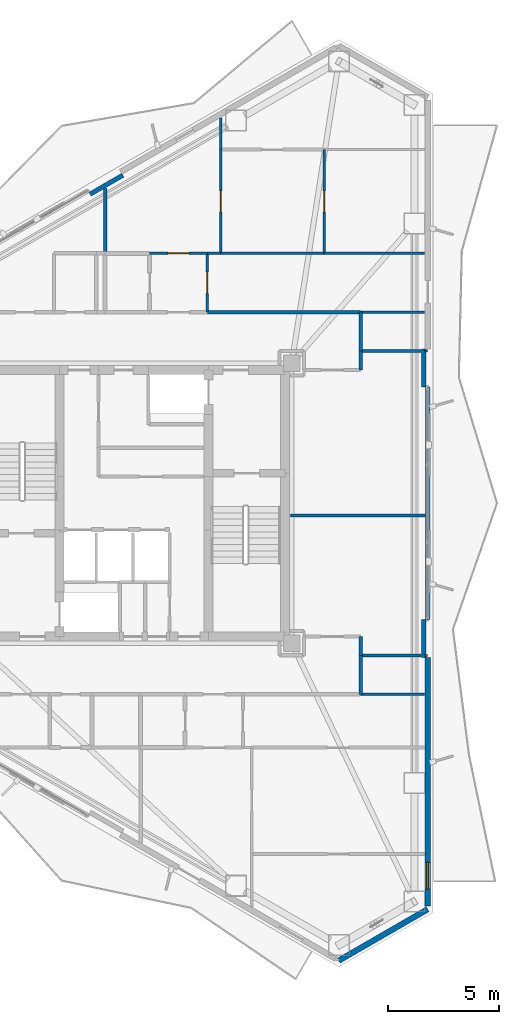
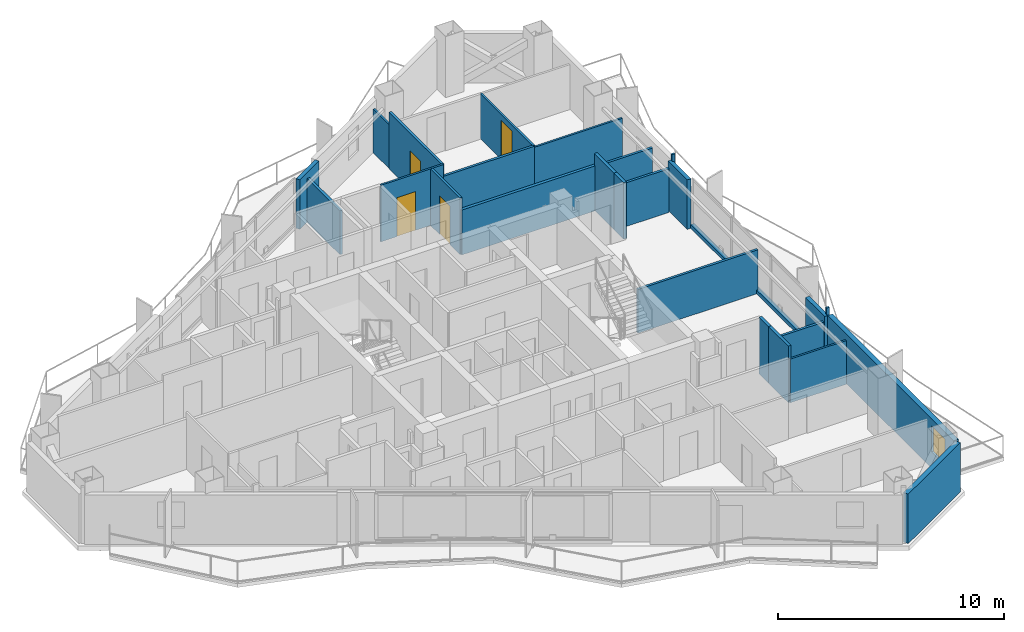
# One storey, part 16 of 19: 27 walls, 4 doors, 1 window, 5 openings.
"""IFC4 building model written with IfcOpenShell, lengths in metres."""

import ifcopenshell
import ifcopenshell.guid

model = None  # the IFC model being written
_history = None  # IfcOwnerHistory: only IFC2X3 demands one
_inside = {}  # id of a spatial element -> (the spatial element, [elements in it])
_under = {}  # id of a project, library or spatial element -> (it, [spatial elements below it])
_declared = {}  # id of a project -> (the project, [libraries it declares])
_typed = {}  # id of a type object -> (the type object, [elements of that type])
_made_of = {}  # id of a material, layer set ... -> (it, [elements and type objects made of it])


def new_model(schema):
    """Start an empty IFC model of exactly this schema.

    Asked for "IFC4X3", IfcOpenShell would pick the latest addendum, in which some entities
    have other attributes; the version numbers below select the first issue.
    IFC2X3 requires an IfcOwnerHistory on every rooted entity: one is made here for all.
    """
    global model, _history
    if schema == "IFC4X3":
        model = ifcopenshell.file(schema_version=(4, 3, 0, 0))
    else:
        model = ifcopenshell.file(schema=schema)
    _inside.clear()
    _under.clear()
    _declared.clear()
    _typed.clear()
    _made_of.clear()
    _history = None
    if model.schema == "IFC2X3":
        org = make("IfcOrganization", Name="unknown")
        user = make(
            "IfcPersonAndOrganization",
            ThePerson=make("IfcPerson", FamilyName="unknown"),
            TheOrganization=org,
        )
        app = make(
            "IfcApplication",
            ApplicationDeveloper=org,
            Version="unknown",
            ApplicationFullName="unknown",
            ApplicationIdentifier="unknown",
        )
        _history = make(
            "IfcOwnerHistory",
            OwningUser=user,
            OwningApplication=app,
            ChangeAction="ADDED",
            CreationDate=0,
        )
    return model


def make(cls, **values):
    """One entity of the class cls with the attributes given. An attribute that is None is left unset."""
    return model.create_entity(
        cls, **{name: value for name, value in values.items() if value is not None}
    )


def rooted(cls, **values):
    """An entity with a GlobalId (a new one), such as an element, a storey or a relation."""
    return make(cls, GlobalId=ifcopenshell.guid.new(), OwnerHistory=_history, **values)


def si_unit(unit_type, name, prefix=None):
    """IfcSIUnit, for example si_unit("LENGTHUNIT", "METRE", prefix="MILLI")."""
    return make("IfcSIUnit", UnitType=unit_type, Prefix=prefix, Name=name)


def assignment(units):
    """IfcUnitAssignment: the units of a project."""
    return None if units is None else make("IfcUnitAssignment", Units=units)


def point(xyz):
    """IfcCartesianPoint."""
    return None if xyz is None else make("IfcCartesianPoint", Coordinates=xyz)


def direction(xyz):
    """IfcDirection."""
    return None if xyz is None else make("IfcDirection", DirectionRatios=xyz)


def frame(location, z_axis=None, x_axis=None):
    """IfcAxis2Placement3D, a coordinate frame: its origin and axes. An axis left out is left unset."""
    return make(
        "IfcAxis2Placement3D",
        Location=point(location),
        Axis=direction(z_axis),
        RefDirection=direction(x_axis),
    )


def frame_2d(location, x_axis=None):
    """IfcAxis2Placement2D, a coordinate frame in the plane: its origin and x axis."""
    return make(
        "IfcAxis2Placement2D", Location=point(location), RefDirection=direction(x_axis)
    )


def origin():
    """The frame at (0, 0, 0) with its axes left unset."""
    return frame((0.0, 0.0, 0.0))


def place(relative_to, where):
    """IfcLocalPlacement: puts the frame where relative to a parent placement (None: the world)."""
    return make(
        "IfcLocalPlacement", PlacementRelTo=relative_to, RelativePlacement=where
    )


def context(
    kind, dimensions, precision=None, world=None, true_north=None, identifier=None
):
    """IfcGeometricRepresentationContext, for example the 3D "Model" context."""
    return make(
        "IfcGeometricRepresentationContext",
        ContextIdentifier=identifier,
        ContextType=kind,
        CoordinateSpaceDimension=dimensions,
        Precision=precision,
        WorldCoordinateSystem=world,
        TrueNorth=true_north,
    )


def subcontext(parent, identifier, kind, view, scale=None):
    """IfcGeometricRepresentationSubContext, for example "Body" below "Model"."""
    return make(
        "IfcGeometricRepresentationSubContext",
        ContextIdentifier=identifier,
        ContextType=kind,
        ParentContext=parent,
        TargetScale=scale,
        TargetView=view,
    )


def project(units=None, contexts=None):
    """IfcProject with its units and contexts."""
    return rooted(
        "IfcProject",
        Name="project",
        RepresentationContexts=contexts,
        UnitsInContext=assignment(units),
    )


def spatial(cls, under=None, at=None, **own):
    """A site, building, storey or space (cls), placed at a placement, below another one or the project."""
    s = rooted(cls, ObjectPlacement=at, **own)
    if under is not None:
        _under.setdefault(under.id(), (under, []))[1].append(s)
    return s


def profile(cls, at=None, kind="AREA", **sizes):
    """A parametric profile (cls). Its sizes go by their IFC names, for example OverallWidth=200.0."""
    return make(cls, ProfileType=kind, Position=at, **sizes)


def rectangle(**sizes):
    """IfcRectangleProfileDef."""
    return profile("IfcRectangleProfileDef", **sizes)


def extrude(swept, where, along, depth):
    """IfcExtrudedAreaSolid: the profile swept, set in the frame where, extruded along a direction by depth."""
    return make(
        "IfcExtrudedAreaSolid",
        SweptArea=swept,
        Position=where,
        ExtrudedDirection=direction(along),
        Depth=depth,
    )


def shape(context_of_items, identifier, shape_type, items):
    """IfcShapeRepresentation: the items that make up one representation, for example the "Body"."""
    return make(
        "IfcShapeRepresentation",
        ContextOfItems=context_of_items,
        RepresentationIdentifier=identifier,
        RepresentationType=shape_type,
        Items=items,
    )


def material(Name=None, Category=None):
    """IfcMaterial."""
    return make("IfcMaterial", Name=Name, Category=Category)


def layer(
    of_material, thickness, ventilated=None, Name=None, Category=None, Priority=None
):
    """IfcMaterialLayer: one layer of a wall or slab, of a material (None: an air gap)."""
    return make(
        "IfcMaterialLayer",
        Material=of_material,
        LayerThickness=thickness,
        IsVentilated=ventilated,
        Name=Name,
        Category=Category,
        Priority=Priority,
    )


def layer_set(layers, Name=None):
    """IfcMaterialLayerSet."""
    return make("IfcMaterialLayerSet", MaterialLayers=layers, LayerSetName=Name)


def made_of(thing, what):
    """Note that an element or type object is made of a material, layer set ...; save() writes the relation."""
    if what is not None:
        _made_of.setdefault(what.id(), (what, []))[1].append(thing)
    return thing


def type_object(cls, material=None, **own):
    """A type object (cls), such as IfcWallType, which elements share."""
    return made_of(rooted(cls, **own), material)


def element(
    cls,
    number,
    at=None,
    inside=None,
    cuts=None,
    type_object=None,
    material=None,
    context=None,
    identifier="Body",
    shape_type=None,
    held_by="IfcProductDefinitionShape",
    body=None,
    shapes=None,
    **own,
):
    """One element of the class cls, such as IfcWall. Its Tag is "e" and its number.

    at: its placement. inside: the storey or other place that contains it. cuts: it is an
    opening in that element (IfcRelVoidsElement). A single representation is given by context,
    identifier, shape_type and body (its items); several are given by shapes. held_by: the class
    of the entity that holds the representations. save() writes the other relations.
    """
    e = rooted(cls, Tag="e%d" % number, ObjectPlacement=at, **own)
    if body is not None:
        shapes = [shape(context, identifier, shape_type, body)]
    if shapes is not None:
        e.Representation = make(held_by, Representations=shapes)
    if inside is not None:
        _inside.setdefault(inside.id(), (inside, []))[1].append(e)
    if cuts is not None:
        rooted(
            "IfcRelVoidsElement", RelatingBuildingElement=cuts, RelatedOpeningElement=e
        )
    if type_object is not None:
        _typed.setdefault(type_object.id(), (type_object, []))[1].append(e)
    return made_of(e, material)


def fill(opening, filler):
    """IfcRelFillsElement: the door or window that sits in an opening."""
    return rooted(
        "IfcRelFillsElement",
        RelatingOpeningElement=opening,
        RelatedBuildingElement=filler,
    )


def aggregate(whole, parts):
    """IfcRelAggregates: a whole, such as a stair, and the parts it consists of."""
    return rooted("IfcRelAggregates", RelatingObject=whole, RelatedObjects=parts)


def save(model, path):
    """Write the relations noted so far, then the file.

    IfcRelAggregates (storeys below a building ...), IfcRelContainedInSpatialStructure (elements
    in a storey), IfcRelDefinesByType, IfcRelAssociatesMaterial and IfcRelDeclares: one each for
    every whole, place, type object, material and project.
    """
    for whole, parts in _under.values():
        aggregate(whole, parts)
    for where, things in _inside.values():
        rooted(
            "IfcRelContainedInSpatialStructure",
            RelatedElements=things,
            RelatingStructure=where,
        )
    for kind, things in _typed.values():
        rooted("IfcRelDefinesByType", RelatedObjects=things, RelatingType=kind)
    for what, things in _made_of.values():
        rooted("IfcRelAssociatesMaterial", RelatedObjects=things, RelatingMaterial=what)
    for by, libraries in _declared.values():
        rooted("IfcRelDeclares", RelatingContext=by, RelatedDefinitions=libraries)
    model.write(path)


model = new_model("IFC4")

# Units and contexts
model_context = context("Model", 3, precision=1e-05, world=origin(), true_north=direction((0.0, 1.0)))
body_context = subcontext(model_context, "Body", "Model", "MODEL_VIEW")
ifc_project = project(units=[si_unit("LENGTHUNIT", "METRE"), si_unit("AREAUNIT", "SQUARE_METRE"), si_unit("VOLUMEUNIT", "CUBIC_METRE"), si_unit("PLANEANGLEUNIT", "RADIAN"), si_unit("MASSUNIT", "GRAM", prefix="KILO")], contexts=[model_context])

# Site, building, storey
site_placement = place(None, origin())
site = spatial("IfcSite", under=ifc_project, at=site_placement, CompositionType="ELEMENT")
building_placement = place(site_placement, origin())
building = spatial("IfcBuilding", under=site, at=building_placement, Name="Mersakhor Tower and Convention Hall", CompositionType="ELEMENT")
storey_placement = place(building_placement, frame((0.0, 0.0, 141.0)))
storey = spatial("IfcBuildingStorey", under=building, at=storey_placement, Name="L39", CompositionType="ELEMENT", Elevation=141.0)

# Wall
ifc_material_1 = material(Name="Precast concrete C40/50", Category="concrete")
ifc_layer_1 = layer(ifc_material_1, 0.25)
ifc_layer_set_1 = layer_set([ifc_layer_1], Name="Precast concrete C40/50")
wall_type_1 = type_object("IfcWallType", Name="WL-EXT-250", PredefinedType="SOLIDWALL", material=ifc_layer_set_1)
wall_1_placement = place(storey_placement, frame((42.21923828125, 8.470947265625, 0.0), z_axis=(0.0, 0.0, 1.0), x_axis=(-0.866035021055, -0.499983342029, 0.0)))
element("IfcWall", 1, at=wall_1_placement, inside=storey, type_object=wall_type_1, Name="L39 Chamfer Braced Spandrel Wall C2", PredefinedType="SOLIDWALL", context=body_context, shape_type="SweptSolid", body=[
    extrude(rectangle(XDim=4.617431640625, YDim=0.25, at=frame_2d((2.30859375, 0.0))), origin(), (0.0, 0.0, 1.0), 2.679931640625),
])

# Wall, opening, window
wall_2_placement = place(storey_placement, frame((42.21923828125, 19.806884765625, 0.0), z_axis=(0.0, 0.0, 1.0), x_axis=(0.0, -1.0, 0.0)))
wall_2 = element("IfcWall", 2, at=wall_2_placement, inside=storey, type_object=wall_type_1, Name="L39 Exterior Facade Wall F2-B3", PredefinedType="SOLIDWALL", context=body_context, shape_type="SweptSolid", body=[
    extrude(rectangle(XDim=11.185791015625, YDim=0.25, at=frame_2d((5.5927734375, 0.0))), origin(), (0.0, 0.0, 1.0), 2.679931640625),
])
opening_1_placement = place(wall_2_placement, frame((9.22705078125, 0.0, 0.89990234375)))
opening_1 = element("IfcOpeningElement", 3, at=opening_1_placement, cuts=wall_2, Name="Opening W-01", PredefinedType="OPENING", context=body_context, shape_type="SweptSolid", body=[
    extrude(rectangle(XDim=1.199951171875, YDim=1.39990234375, at=frame_2d((0.60009765625, 0.699951171875))), frame((0.0, 0.135009765625, 0.0), z_axis=(0.0, -1.0, 0.0), x_axis=(1.0, 0.0, 0.0)), (0.0, 0.0, 1.0), 0.27001953125),
])
ifc_material_2 = material(Name="Dark solar low-E glazed aluminium window", Category="aluminium")
window_type = type_object("IfcWindowType", Name="WN-RES-120x150", PartitioningType="SINGLE_PANEL", PredefinedType="WINDOW", material=ifc_material_2)
window_placement = place(opening_1_placement, origin())
window = element("IfcWindow", 4, at=window_placement, inside=storey, type_object=window_type, Name="L39 Bedroom Facade Window F2-B3-1", OverallHeight=1.39990234375, OverallWidth=1.199951171875, PartitioningType="SINGLE_PANEL", PredefinedType="WINDOW", context=body_context, shape_type="SweptSolid", body=[
    extrude(rectangle(XDim=1.199951171875, YDim=1.39990234375, at=frame_2d((0.60009765625, 0.699951171875))), frame((0.0, 0.030029296875, 0.0), z_axis=(0.0, -1.0, 0.0), x_axis=(1.0, 0.0, 0.0)), (0.0, 0.0, 1.0), 0.06005859375),
])
fill(opening_1, window)

# Walls
ifc_material_3 = material(Name="Precast concrete C40/50", Category="concrete")
ifc_layer_2 = layer(ifc_material_3, 0.199951171875)
ifc_layer_set_2 = layer_set([ifc_layer_2], Name="Precast concrete C40/50")
wall_type_2 = type_object("IfcWallType", Name="WL-PAR-200", PredefinedType="PARAPET", material=ifc_layer_set_2)
wall_3_placement = place(storey_placement, frame((27.02099609375, 40.663818359375, 0.0), z_axis=(0.0, 0.0, 1.0), x_axis=(0.86605165483, 0.499954529098, 0.0)))
element("IfcWall", 5, at=wall_3_placement, inside=storey, type_object=wall_type_2, Name="L39 Column Pier Cladding Wall F1-C2", PredefinedType="PARAPET", context=body_context, shape_type="SweptSolid", body=[
    extrude(rectangle(XDim=1.699951171875, YDim=0.199951171875, at=frame_2d((0.85009765625, 0.0))), origin(), (0.0, 0.0, 1.0), 2.679931640625),
])
wall_4_placement = place(storey_placement, frame((42.21923828125, 31.992919921875, 0.0), z_axis=(0.0, 0.0, 1.0), x_axis=(0.0, -1.0, 0.0)))
element("IfcWall", 6, at=wall_4_placement, inside=storey, type_object=wall_type_2, Name="L39 Curtain Wall Upstand Sill F2-B2", PredefinedType="PARAPET", context=body_context, shape_type="SweptSolid", body=[
    extrude(rectangle(XDim=10.48583984375, YDim=0.199951171875, at=frame_2d((5.242919921875, 0.0))), origin(), (0.0, 0.0, 1.0), 0.199951171875),
])
for number, where, z_axis, x_axis, name in (
    (7, (42.039306640625, 33.693115234375, 0.0), (0.0, 0.0, 1.0), (0.0, -1.0, 0.0), "L39 Column Pier Cladding Wall F2-C1"),
    (8, (42.039306640625, 21.507080078125, 0.0), (0.0, 0.0, 1.0), (0.0, -1.0, 0.0), "L39 Column Pier Cladding Wall F2-C2"),
):
    element("IfcWall", number, at=place(storey_placement, frame(where, z_axis=z_axis, x_axis=x_axis)), inside=storey, type_object=wall_type_2, Name=name, PredefinedType="PARAPET", context=body_context, shape_type="SweptSolid", body=[
        extrude(rectangle(XDim=1.7001953125, YDim=0.199951171875, at=frame_2d((0.85009765625, 0.0))), origin(), (0.0, 0.0, 1.0), 2.679931640625),
    ])

# Wall, opening, door
ifc_material_4 = material(Name="Lightweight gypsum partition", Category="other")
ifc_layer_3 = layer(ifc_material_4, 0.10009765625)
ifc_layer_set_3 = layer_set([ifc_layer_3], Name="Lightweight gypsum partition")
wall_type_3 = type_object("IfcWallType", Name="WL-PRT-100", PredefinedType="PARTITIONING", material=ifc_layer_set_3)
wall_5_placement = place(storey_placement, frame((29.699951171875, 38.0, 0.0), z_axis=(0.0, 0.0, 1.0), x_axis=(1.0, 0.0, 0.0)))
wall_5 = element("IfcWall", 9, at=wall_5_placement, inside=storey, type_object=wall_type_3, Name="L39 Interior Partition Wall P-052", PredefinedType="PARTITIONING", context=body_context, shape_type="SweptSolid", body=[
    extrude(rectangle(XDim=2.60009765625, YDim=0.10009765625, at=frame_2d((1.300048828125, 0.0))), origin(), (0.0, 0.0, 1.0), 3.06005859375),
])
opening_2_placement = place(wall_5_placement, frame((0.824951171875, 0.0, 0.0)))
opening_2 = element("IfcOpeningElement", 10, at=opening_2_placement, cuts=wall_5, Name="Opening RD-01", PredefinedType="OPENING", context=body_context, shape_type="SweptSolid", body=[
    extrude(rectangle(XDim=0.949951171875, YDim=2.10009765625, at=frame_2d((0.47509765625, 1.050048828125))), frame((0.0, 0.06005859375, 0.0), z_axis=(0.0, -1.0, 0.0), x_axis=(1.0, 0.0, 0.0)), (0.0, 0.0, 1.0), 0.1201171875),
])
ifc_material_5 = material(Name="Solid-core hardwood leaf in painted steel frame", Category="steel")
door_type = type_object("IfcDoorType", Name="DR-INT-RM-095x210", OperationType="NOTDEFINED", PredefinedType="DOOR", material=ifc_material_5)
door_1_placement = place(opening_2_placement, origin())
door_1 = element("IfcDoor", 11, at=door_1_placement, inside=storey, type_object=door_type, Name="L39 L39 Flat N2 Apartment Hall to L39 Flat N2 Living and Dining Room Door", OperationType="SINGLE_SWING_RIGHT", OverallHeight=2.10009765625, OverallWidth=0.949951171875, PredefinedType="DOOR", context=body_context, shape_type="SweptSolid", body=[
    extrude(rectangle(XDim=0.949951171875, YDim=2.10009765625, at=frame_2d((0.47509765625, 1.050048828125))), frame((0.0, 0.02490234375, 0.0), z_axis=(0.0, -1.0, 0.0), x_axis=(1.0, 0.0, 0.0)), (0.0, 0.0, 1.0), 0.050048828125),
])
fill(opening_2, door_1)

# Walls
wall_6_placement = place(storey_placement, frame((32.300048828125, 38.0, 0.0), z_axis=(0.0, 0.0, 1.0), x_axis=(1.0, 0.0, 0.0)))
element("IfcWall", 12, at=wall_6_placement, inside=storey, type_object=wall_type_3, Name="L39 Interior Partition Wall P-074", PredefinedType="PARTITIONING", context=body_context, shape_type="SweptSolid", body=[
    extrude(rectangle(XDim=0.599853515625, YDim=0.10009765625, at=frame_2d((0.2998046875, 0.0))), origin(), (0.0, 0.0, 1.0), 3.06005859375),
])
wall_7_placement = place(storey_placement, frame((37.56005859375, 38.0, 0.0), z_axis=(0.0, 0.0, 1.0), x_axis=(1.0, 0.0, 0.0)))
element("IfcWall", 13, at=wall_7_placement, inside=storey, type_object=wall_type_3, Name="L39 Interior Partition Wall P-076", PredefinedType="PARTITIONING", context=body_context, shape_type="SweptSolid", body=[
    extrude(rectangle(XDim=4.51025390625, YDim=0.10009765625, at=frame_2d((2.255126953125, 0.0))), origin(), (0.0, 0.0, 1.0), 2.364990234375),
])
wall_8_placement = place(storey_placement, frame((39.199951171875, 18.14990234375, 0.0), z_axis=(0.0, 0.0, 1.0), x_axis=(1.0, 0.0, 0.0)))
element("IfcWall", 14, at=wall_8_placement, inside=storey, type_object=wall_type_3, Name="L39 Interior Partition Wall P-082", PredefinedType="PARTITIONING", context=body_context, shape_type="SweptSolid", body=[
    extrude(rectangle(XDim=2.870361328125, YDim=0.10009765625, at=frame_2d((1.43505859375, 0.0))), origin(), (0.0, 0.0, 1.0), 2.364990234375),
])
for number, where, z_axis, x_axis, name in (
    (15, (42.07421875, 33.60009765625, 0.0), (0.0, 0.0, 1.0), (1.0, 0.0, 0.0), "L39 Interior Partition Wall P-102"),
    (16, (42.218994140625, 19.89990234375, 0.0), (0.0, 0.0, 1.0), (-1.0, 0.0, 0.0), "L39 Interior Partition Wall P-106"),
):
    element("IfcWall", number, at=place(storey_placement, frame(where, z_axis=z_axis, x_axis=x_axis)), inside=storey, type_object=wall_type_3, Name=name, PredefinedType="PARTITIONING", context=body_context, shape_type="SweptSolid", body=[
        extrude(rectangle(XDim=0.144775390625, YDim=0.10009765625, at=frame_2d((0.072265625, 0.0))), origin(), (0.0, 0.0, 1.0), 3.06005859375),
    ])
wall_9_placement = place(storey_placement, frame((32.89990234375, 44.09375, 0.0), z_axis=(0.0, 0.0, 1.0), x_axis=(0.0, -1.0, 0.0)))
element("IfcWall", 17, at=wall_9_placement, inside=storey, type_object=wall_type_3, Name="L39 Interior Partition Wall P-114", PredefinedType="PARTITIONING", context=body_context, shape_type="SweptSolid", body=[
    extrude(rectangle(XDim=1.423828125, YDim=0.10009765625, at=frame_2d((0.7119140625, 0.0))), origin(), (0.0, 0.0, 1.0), 2.364990234375),
])

# Wall, opening, door
wall_10_placement = place(storey_placement, frame((37.56005859375, 42.669921875, 0.0), z_axis=(0.0, 0.0, 1.0), x_axis=(0.0, -1.0, 0.0)))
wall_10 = element("IfcWall", 18, at=wall_10_placement, inside=storey, type_object=wall_type_3, Name="L39 Interior Partition Wall P-116", PredefinedType="PARTITIONING", context=body_context, shape_type="SweptSolid", body=[
    extrude(rectangle(XDim=4.669921875, YDim=0.10009765625, at=frame_2d((2.3349609375, 0.0))), origin(), (0.0, 0.0, 1.0), 2.432861328125),
])
opening_3_placement = place(wall_10_placement, frame((1.860107421875, 0.0, 0.0)))
opening_3 = element("IfcOpeningElement", 19, at=opening_3_placement, cuts=wall_10, Name="Opening RD-01", PredefinedType="OPENING", context=body_context, shape_type="SweptSolid", body=[
    extrude(rectangle(XDim=0.949951171875, YDim=2.10009765625, at=frame_2d((0.47509765625, 1.050048828125))), frame((0.0, 0.06005859375, 0.0), z_axis=(0.0, -1.0, 0.0), x_axis=(1.0, 0.0, 0.0)), (0.0, 0.0, 1.0), 0.1201171875),
])
door_2_placement = place(opening_3_placement, origin())
door_2 = element("IfcDoor", 20, at=door_2_placement, inside=storey, type_object=door_type, Name="L39 L39 Flat N2 Bedroom 1 to L39 Flat N2 Study Room Door", OperationType="SINGLE_SWING_RIGHT", OverallHeight=2.10009765625, OverallWidth=0.949951171875, PredefinedType="DOOR", context=body_context, shape_type="SweptSolid", body=[
    extrude(rectangle(XDim=0.949951171875, YDim=2.10009765625, at=frame_2d((0.47509765625, 1.050048828125))), frame((0.0, 0.02490234375, 0.0), z_axis=(0.0, -1.0, 0.0), x_axis=(1.0, 0.0, 0.0)), (0.0, 0.0, 1.0), 0.050048828125),
])
fill(opening_3, door_2)

ifc_material_6 = material(Name="Gypsum board acoustic partition", Category="other")
ifc_layer_4 = layer(ifc_material_6, 0.125)
ifc_layer_set_4 = layer_set([ifc_layer_4], Name="Gypsum board acoustic partition")
wall_type_4 = type_object("IfcWallType", Name="WL-PRT-125", PredefinedType="PARTITIONING", material=ifc_layer_set_4)
wall_11_placement = place(storey_placement, frame((32.300048828125, 38.0, 0.0), z_axis=(0.0, 0.0, 1.0), x_axis=(0.0, -1.0, 0.0)))
wall_11 = element("IfcWall", 21, at=wall_11_placement, inside=storey, type_object=wall_type_4, Name="L39 Interior Partition Wall P-053", PredefinedType="PARTITIONING", context=body_context, shape_type="SweptSolid", body=[
    extrude(rectangle(XDim=2.64990234375, YDim=0.125, at=frame_2d((1.324951171875, 0.0))), origin(), (0.0, 0.0, 1.0), 3.06005859375),
])
opening_4_placement = place(wall_11_placement, frame((0.85009765625, 0.0, 0.0)))
opening_4 = element("IfcOpeningElement", 22, at=opening_4_placement, cuts=wall_11, Name="Opening RD-01", PredefinedType="OPENING", context=body_context, shape_type="SweptSolid", body=[
    extrude(rectangle(XDim=0.949951171875, YDim=2.10009765625, at=frame_2d((0.47509765625, 1.050048828125))), frame((0.0, 0.072509765625, 0.0), z_axis=(0.0, -1.0, 0.0), x_axis=(1.0, 0.0, 0.0)), (0.0, 0.0, 1.0), 0.14501953125),
])
door_3_placement = place(opening_4_placement, origin())
door_3 = element("IfcDoor", 23, at=door_3_placement, inside=storey, type_object=door_type, Name="L39 L39 Flat N2 Apartment Hall to L39 Flat N2 Kitchen Door", OperationType="SINGLE_SWING_LEFT", OverallHeight=2.10009765625, OverallWidth=0.949951171875, PredefinedType="DOOR", context=body_context, shape_type="SweptSolid", body=[
    extrude(rectangle(XDim=0.949951171875, YDim=2.10009765625, at=frame_2d((0.47509765625, 1.050048828125))), frame((0.0, 0.02490234375, 0.0), z_axis=(0.0, -1.0, 0.0), x_axis=(1.0, 0.0, 0.0)), (0.0, 0.0, 1.0), 0.050048828125),
])
fill(opening_4, door_3)

# Walls
wall_12_placement = place(storey_placement, frame((42.0703125, 35.35009765625, 0.0), z_axis=(0.0, 0.0, 1.0), x_axis=(-1.0, 0.0, 0.0)))
element("IfcWall", 24, at=wall_12_placement, inside=storey, type_object=wall_type_4, Name="L39 Interior Partition Wall P-073", PredefinedType="PARTITIONING", context=body_context, shape_type="SweptSolid", body=[
    extrude(rectangle(XDim=2.870361328125, YDim=0.125, at=frame_2d((1.43505859375, 0.0))), origin(), (0.0, 0.0, 1.0), 2.364990234375),
])
wall_13_placement = place(storey_placement, frame((32.89990234375, 38.0, 0.0), z_axis=(0.0, 0.0, 1.0), x_axis=(1.0, 0.0, 0.0)))
element("IfcWall", 25, at=wall_13_placement, inside=storey, type_object=wall_type_4, Name="L39 Interior Partition Wall P-075", PredefinedType="PARTITIONING", context=body_context, shape_type="SweptSolid", body=[
    extrude(rectangle(XDim=4.66015625, YDim=0.125, at=frame_2d((2.330078125, 0.0))), origin(), (0.0, 0.0, 1.0), 2.432861328125),
])
wall_14_placement = place(storey_placement, frame((39.199951171875, 33.60009765625, 0.0), z_axis=(0.0, 0.0, 1.0), x_axis=(1.0, 0.0, 0.0)))
element("IfcWall", 26, at=wall_14_placement, inside=storey, type_object=wall_type_4, Name="L39 Interior Partition Wall P-101", PredefinedType="PARTITIONING", context=body_context, shape_type="SweptSolid", body=[
    extrude(rectangle(XDim=2.71533203125, YDim=0.125, at=frame_2d((1.357666015625, 0.0))), origin(), (0.0, 0.0, 1.0), 2.364990234375),
])
wall_15_placement = place(storey_placement, frame((42.18115234375, 26.199951171875, 0.0), z_axis=(0.0, 0.0, 1.0), x_axis=(-1.0, 0.0, 0.0)))
element("IfcWall", 27, at=wall_15_placement, inside=storey, type_object=wall_type_4, Name="L39 Interior Partition Wall P-103", PredefinedType="PARTITIONING", context=body_context, shape_type="SweptSolid", body=[
    extrude(rectangle(XDim=6.131103515625, YDim=0.125, at=frame_2d((3.0654296875, 0.0))), origin(), (0.0, 0.0, 1.0), 2.364990234375),
])
wall_16_placement = place(storey_placement, frame((41.915283203125, 19.89990234375, 0.0), z_axis=(0.0, 0.0, 1.0), x_axis=(-1.0, 0.0, 0.0)))
element("IfcWall", 28, at=wall_16_placement, inside=storey, type_object=wall_type_4, Name="L39 Interior Partition Wall P-107", PredefinedType="PARTITIONING", context=body_context, shape_type="SweptSolid", body=[
    extrude(rectangle(XDim=2.71533203125, YDim=0.125, at=frame_2d((1.357666015625, 0.0))), origin(), (0.0, 0.0, 1.0), 2.364990234375),
])

# Wall, opening, door
wall_17_placement = place(storey_placement, frame((32.89990234375, 42.669921875, 0.0), z_axis=(0.0, 0.0, 1.0), x_axis=(0.0, -1.0, 0.0)))
wall_17 = element("IfcWall", 29, at=wall_17_placement, inside=storey, type_object=wall_type_4, Name="L39 Interior Partition Wall P-115", PredefinedType="PARTITIONING", context=body_context, shape_type="SweptSolid", body=[
    extrude(rectangle(XDim=4.669921875, YDim=0.125, at=frame_2d((2.3349609375, 0.0))), origin(), (0.0, 0.0, 1.0), 3.06005859375),
])
opening_5_placement = place(wall_17_placement, frame((1.860107421875, 0.0, 0.0)))
opening_5 = element("IfcOpeningElement", 30, at=opening_5_placement, cuts=wall_17, Name="Opening RD-01", PredefinedType="OPENING", context=body_context, shape_type="SweptSolid", body=[
    extrude(rectangle(XDim=0.949951171875, YDim=2.10009765625, at=frame_2d((0.47509765625, 1.050048828125))), frame((0.0, 0.072509765625, 0.0), z_axis=(0.0, -1.0, 0.0), x_axis=(1.0, 0.0, 0.0)), (0.0, 0.0, 1.0), 0.14501953125),
])
door_4_placement = place(opening_5_placement, origin())
door_4 = element("IfcDoor", 31, at=door_4_placement, inside=storey, type_object=door_type, Name="L39 L39 Flat N2 Living and Dining Room to L39 Flat N2 Bedroom 1 Door", OperationType="SINGLE_SWING_LEFT", OverallHeight=2.10009765625, OverallWidth=0.949951171875, PredefinedType="DOOR", context=body_context, shape_type="SweptSolid", body=[
    extrude(rectangle(XDim=0.949951171875, YDim=2.10009765625, at=frame_2d((0.47509765625, 1.050048828125))), frame((0.0, 0.02490234375, 0.0), z_axis=(0.0, -1.0, 0.0), x_axis=(1.0, 0.0, 0.0)), (0.0, 0.0, 1.0), 0.050048828125),
])
fill(opening_5, door_4)

# Walls
ifc_material_7 = material(Name="Fire-rated gypsum board stud partition", Category="other")
ifc_layer_5 = layer(ifc_material_7, 0.14990234375)
ifc_layer_set_5 = layer_set([ifc_layer_5], Name="Fire-rated gypsum board stud partition")
wall_type_5 = type_object("IfcWallType", Name="WL-PRT-150", PredefinedType="PARTITIONING", material=ifc_layer_set_5)
wall_18_placement = place(storey_placement, frame((32.300048828125, 35.35009765625, 0.0), z_axis=(0.0, 0.0, 1.0), x_axis=(1.0, 0.0, 0.0)))
element("IfcWall", 32, at=wall_18_placement, inside=storey, type_object=wall_type_5, Name="L39 Interior Partition Wall P-028", PredefinedType="PARTITIONING", context=body_context, shape_type="SweptSolid", body=[
    extrude(rectangle(XDim=6.89990234375, YDim=0.14990234375, at=frame_2d((3.449951171875, 0.0))), origin(), (0.0, 0.0, 1.0), 2.432861328125),
])
wall_19_placement = place(storey_placement, frame((39.199951171875, 35.35009765625, 0.0), z_axis=(0.0, 0.0, 1.0), x_axis=(0.0, -1.0, 0.0)))
element("IfcWall", 33, at=wall_19_placement, inside=storey, type_object=wall_type_5, Name="L39 Interior Partition Wall P-029", PredefinedType="PARTITIONING", context=body_context, shape_type="SweptSolid", body=[
    extrude(rectangle(XDim=1.75, YDim=0.14990234375, at=frame_2d((0.875, 0.0))), origin(), (0.0, 0.0, 1.0), 3.06005859375),
])
for number, where, z_axis, x_axis, name in (
    (34, (39.199951171875, 33.60009765625, 0.0), (0.0, 0.0, 1.0), (0.0, -1.0, 0.0), "L39 Interior Partition Wall P-030"),
    (35, (39.199951171875, 20.75, 0.0), (0.0, 0.0, 1.0), (0.0, -1.0, 0.0), "L39 Interior Partition Wall P-039"),
):
    element("IfcWall", number, at=place(storey_placement, frame(where, z_axis=z_axis, x_axis=x_axis)), inside=storey, type_object=wall_type_5, Name=name, PredefinedType="PARTITIONING", context=body_context, shape_type="SweptSolid", body=[
        extrude(rectangle(XDim=0.85009765625, YDim=0.14990234375, at=frame_2d((0.425048828125, 0.0))), origin(), (0.0, 0.0, 1.0), 3.06005859375),
    ])
wall_20_placement = place(storey_placement, frame((39.199951171875, 19.89990234375, 0.0), z_axis=(0.0, 0.0, 1.0), x_axis=(0.0, -1.0, 0.0)))
element("IfcWall", 36, at=wall_20_placement, inside=storey, type_object=wall_type_5, Name="L39 Interior Partition Wall P-040", PredefinedType="PARTITIONING", context=body_context, shape_type="SweptSolid", body=[
    extrude(rectangle(XDim=1.75, YDim=0.14990234375, at=frame_2d((0.875, 0.0))), origin(), (0.0, 0.0, 1.0), 3.06005859375),
])
wall_21_placement = place(storey_placement, frame((27.699951171875, 40.91259765625, 0.0), z_axis=(0.0, 0.0, 1.0), x_axis=(0.0, -1.0, 0.0)))
element("IfcWall", 37, at=wall_21_placement, inside=storey, type_object=wall_type_5, Name="L39 Interior Partition Wall P-108", PredefinedType="PARTITIONING", context=body_context, shape_type="SweptSolid", body=[
    extrude(rectangle(XDim=2.91259765625, YDim=0.14990234375, at=frame_2d((1.456298828125, 0.0))), origin(), (0.0, 0.0, 1.0), 2.364990234375),
])

save(model, "model.ifc")
